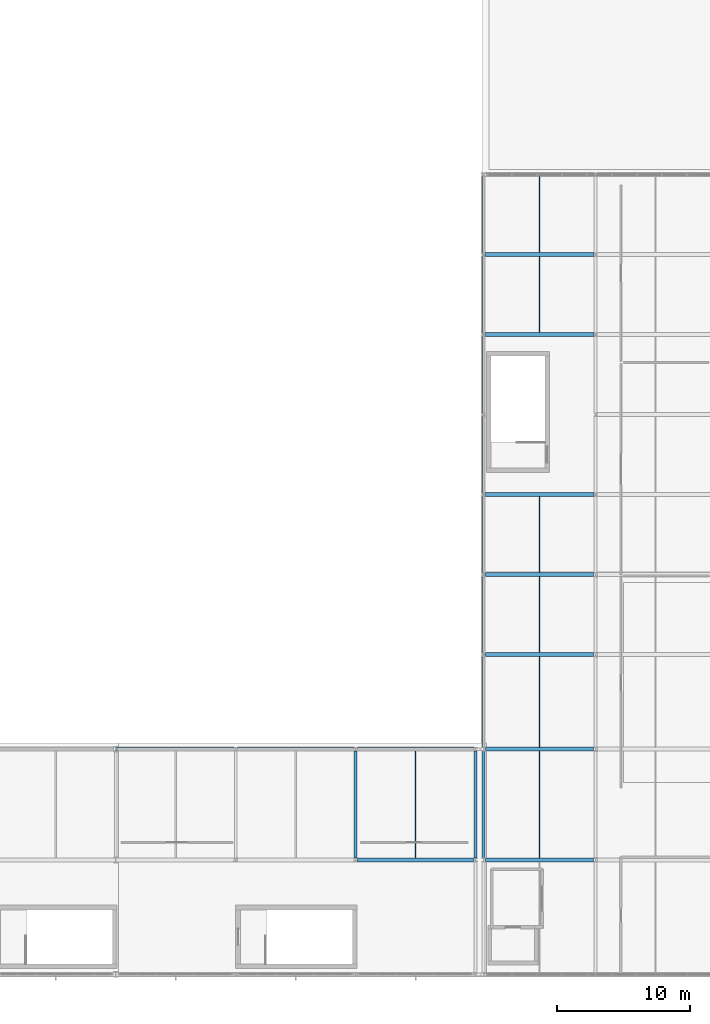
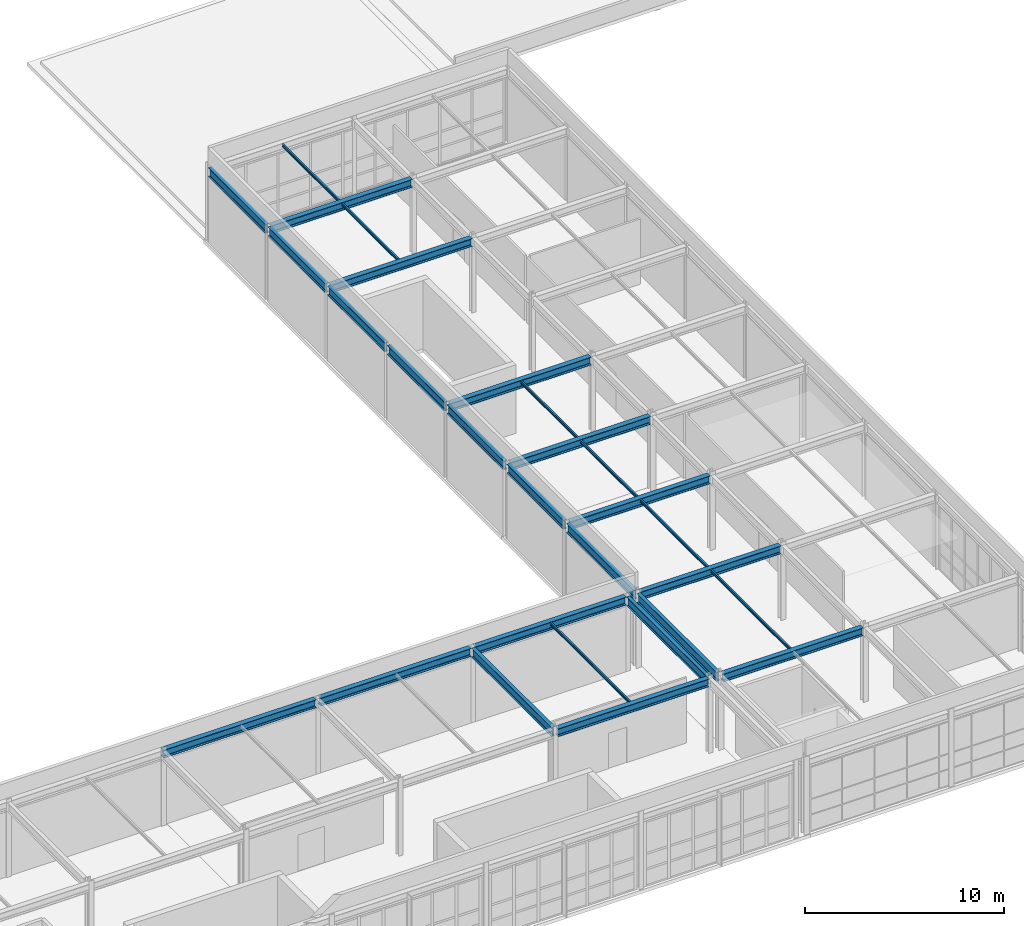
# One storey, part 19 of 38: 28 beams.
"""IFC4 building model written with IfcOpenShell, lengths in metres."""

from ifc_helpers import new_model, si_unit, direction, frame, origin, origin_2d, place, context, subcontext, project, spatial, i_section, extrude, material, material_profile, profile_set, type_object, element, save


model = new_model("IFC4")

# Units and contexts
model_context = context("Model", 3, precision=1e-05, world=origin(), true_north=direction((0.0, 1.0)))
body_context = subcontext(model_context, "Body", "Model", "MODEL_VIEW")
ifc_project = project(units=[si_unit("LENGTHUNIT", "METRE"), si_unit("AREAUNIT", "SQUARE_METRE"), si_unit("VOLUMEUNIT", "CUBIC_METRE"), si_unit("PLANEANGLEUNIT", "RADIAN"), si_unit("MASSUNIT", "GRAM", prefix="KILO")], contexts=[model_context])

# Site, building, storey
site_placement = place(None, origin())
site = spatial("IfcSite", under=ifc_project, at=site_placement, CompositionType="ELEMENT")
building_placement = place(site_placement, origin())
building = spatial("IfcBuilding", under=site, at=building_placement, Name="Kaldris Quays Convention Centre", CompositionType="ELEMENT")
storey_placement = place(building_placement, frame((0.0, 0.0, 21.60009765625)))
storey = spatial("IfcBuildingStorey", under=building, at=storey_placement, Name="L04", CompositionType="ELEMENT", Elevation=21.60009765625)

# Beams
ifc_material = material(Name="Steel S355J2", Category="steel")
ifc_material_profile_1 = material_profile(ifc_material, i_section(OverallWidth=0.300048828125, OverallDepth=0.489990234375, WebThickness=0.011962890625, FlangeThickness=0.02294921875, FilletRadius=0.027099609375, at=origin_2d()), Name="HEA 500")
ifc_profile_set_1 = profile_set([ifc_material_profile_1], Name="Steel S355J2")
beam_type_1 = type_object("IfcBeamType", Name="STRUCTURAL BEAM BM09", PredefinedType="BEAM", material=ifc_profile_set_1)
beam_1_placement = place(storey_placement, frame((137.1240234375, 46.60009765625, 4.347900390625), z_axis=(1.0, 0.0, 0.0), x_axis=(0.0, 1.0, 0.0)))
element("IfcBeam", 1, at=beam_1_placement, inside=storey, type_object=beam_type_1, Name="L04 Girder BM09 14", PredefinedType="BEAM", context=body_context, shape_type="SweptSolid", body=[
    extrude(i_section(OverallWidth=0.300048828125, OverallDepth=0.489990234375, WebThickness=0.011962890625, FlangeThickness=0.02294921875, FilletRadius=0.027099609375, at=origin_2d()), origin(), (0.0, 0.0, 1.0), 8.751953125),
])
beam_2_placement = place(storey_placement, frame((146.743896484375, 46.60009765625, 4.347900390625), z_axis=(1.0, 0.0, 0.0), x_axis=(0.0, 1.0, 0.0)))
element("IfcBeam", 2, at=beam_2_placement, inside=storey, type_object=beam_type_1, Name="L04 Girder BM09 15", PredefinedType="BEAM", context=body_context, shape_type="SweptSolid", body=[
    extrude(i_section(OverallWidth=0.300048828125, OverallDepth=0.489990234375, WebThickness=0.011962890625, FlangeThickness=0.02294921875, FilletRadius=0.027099609375, at=origin_2d()), origin(), (0.0, 0.0, 1.0), 8.112060546875),
])
beam_3_placement = place(storey_placement, frame((119.000732421875, 54.89990234375, 4.347900390625), z_axis=(1.0, 0.0, 0.0), x_axis=(0.0, 1.0, 0.0)))
element("IfcBeam", 3, at=beam_3_placement, inside=storey, type_object=beam_type_1, Name="L04 Girder BM09 20", PredefinedType="BEAM", context=body_context, shape_type="SweptSolid", body=[
    extrude(i_section(OverallWidth=0.300048828125, OverallDepth=0.489990234375, WebThickness=0.011962890625, FlangeThickness=0.02294921875, FilletRadius=0.027099609375, at=origin_2d()), origin(), (0.0, 0.0, 1.0), 8.875244140625),
])
for number, where, z_axis, x_axis, name in (
    (4, (128.1240234375, 54.89990234375, 4.347900390625), (1.0, 0.0, 0.0), (0.0, 1.0, 0.0), "L04 Girder BM09 21"),
    (5, (137.1240234375, 54.89990234375, 4.347900390625), (1.0, 0.0, 0.0), (0.0, 1.0, 0.0), "L04 Girder BM09 22"),
):
    element("IfcBeam", number, at=place(storey_placement, frame(where, z_axis=z_axis, x_axis=x_axis)), inside=storey, type_object=beam_type_1, Name=name, PredefinedType="BEAM", context=body_context, shape_type="SweptSolid", body=[
        extrude(i_section(OverallWidth=0.300048828125, OverallDepth=0.489990234375, WebThickness=0.011962890625, FlangeThickness=0.02294921875, FilletRadius=0.027099609375, at=origin_2d()), origin(), (0.0, 0.0, 1.0), 8.751953125),
    ])
for number, where, z_axis, x_axis, name in (
    (6, (146.743896484375, 54.89990234375, 4.347900390625), (1.0, 0.0, 0.0), (0.0, 1.0, 0.0), "L04 Girder BM09 23"),
    (7, (146.743896484375, 62.0, 4.347900390625), (1.0, 0.0, 0.0), (0.0, 1.0, 0.0), "L04 Girder BM09 25"),
    (8, (146.743896484375, 68.0, 4.347900390625), (1.0, 0.0, 0.0), (0.0, 1.0, 0.0), "L04 Girder BM09 27"),
):
    element("IfcBeam", number, at=place(storey_placement, frame(where, z_axis=z_axis, x_axis=x_axis)), inside=storey, type_object=beam_type_1, Name=name, PredefinedType="BEAM", context=body_context, shape_type="SweptSolid", body=[
        extrude(i_section(OverallWidth=0.300048828125, OverallDepth=0.489990234375, WebThickness=0.011962890625, FlangeThickness=0.02294921875, FilletRadius=0.027099609375, at=origin_2d()), origin(), (0.0, 0.0, 1.0), 8.112060546875),
    ])
for number, where, z_axis, x_axis, name in (
    (9, (146.714111328125, 74.0, 4.347900390625), (1.0, 0.0, 0.0), (0.0, 1.0, 0.0), "L04 Girder BM09 29"),
    (10, (146.714111328125, 86.0, 4.347900390625), (1.0, 0.0, 0.0), (0.0, 1.0, 0.0), "L04 Girder BM09 32"),
    (11, (146.714111328125, 92.0, 4.347900390625), (1.0, 0.0, 0.0), (0.0, 1.0, 0.0), "L04 Girder BM09 34"),
):
    element("IfcBeam", number, at=place(storey_placement, frame(where, z_axis=z_axis, x_axis=x_axis)), inside=storey, type_object=beam_type_1, Name=name, PredefinedType="BEAM", context=body_context, shape_type="SweptSolid", body=[
        extrude(i_section(OverallWidth=0.300048828125, OverallDepth=0.489990234375, WebThickness=0.011962890625, FlangeThickness=0.02294921875, FilletRadius=0.027099609375, at=origin_2d()), origin(), (0.0, 0.0, 1.0), 8.171875),
    ])
ifc_material_profile_2 = material_profile(ifc_material, i_section(OverallWidth=0.2099609375, OverallDepth=0.550048828125, WebThickness=0.010986328125, FlangeThickness=0.01708984375, FilletRadius=0.02392578125, at=origin_2d()), Name="IPE 550")
ifc_profile_set_2 = profile_set([ifc_material_profile_2], Name="Steel S355J2")
beam_type_2 = type_object("IfcBeamType", Name="STRUCTURAL BEAM BM11", PredefinedType="BEAM", material=ifc_profile_set_2)
for number, where, z_axis, x_axis, name in (
    (12, (137.0, 46.72412109375, 4.31787109375), (0.0, 1.0, 0.0), (-1.0, 0.0, 0.0), "L04 Girder BM11 43"),
    (13, (146.0, 46.72412109375, 4.31787109375), (0.0, 1.0, 0.0), (-1.0, 0.0, 0.0), "L04 Girder BM11 45"),
):
    element("IfcBeam", number, at=place(storey_placement, frame(where, z_axis=z_axis, x_axis=x_axis)), inside=storey, type_object=beam_type_2, Name=name, PredefinedType="BEAM", context=body_context, shape_type="SweptSolid", body=[
        extrude(i_section(OverallWidth=0.2099609375, OverallDepth=0.550048828125, WebThickness=0.010986328125, FlangeThickness=0.01708984375, FilletRadius=0.02392578125, at=origin_2d()), origin(), (0.0, 0.0, 1.0), 8.0517578125),
    ])
beam_4_placement = place(storey_placement, frame((146.60009765625, 46.743896484375, 4.31787109375), z_axis=(0.0, 1.0, 0.0), x_axis=(-1.0, 0.0, 0.0)))
element("IfcBeam", 14, at=beam_4_placement, inside=storey, type_object=beam_type_2, Name="L04 Girder BM11 47", PredefinedType="BEAM", context=body_context, shape_type="SweptSolid", body=[
    extrude(i_section(OverallWidth=0.2099609375, OverallDepth=0.550048828125, WebThickness=0.010986328125, FlangeThickness=0.01708984375, FilletRadius=0.02392578125, at=origin_2d()), origin(), (0.0, 0.0, 1.0), 8.01220703125),
])
beam_5_placement = place(storey_placement, frame((146.60009765625, 55.0439453125, 4.31787109375), z_axis=(0.0, 1.0, 0.0), x_axis=(-1.0, 0.0, 0.0)))
element("IfcBeam", 15, at=beam_5_placement, inside=storey, type_object=beam_type_2, Name="L04 Girder BM11 48", PredefinedType="BEAM", context=body_context, shape_type="SweptSolid", body=[
    extrude(i_section(OverallWidth=0.2099609375, OverallDepth=0.550048828125, WebThickness=0.010986328125, FlangeThickness=0.01708984375, FilletRadius=0.02392578125, at=origin_2d()), origin(), (0.0, 0.0, 1.0), 6.81201171875),
])
beam_6_placement = place(storey_placement, frame((146.60009765625, 62.14404296875, 4.31787109375), z_axis=(0.0, 1.0, 0.0), x_axis=(-1.0, 0.0, 0.0)))
element("IfcBeam", 16, at=beam_6_placement, inside=storey, type_object=beam_type_2, Name="L04 Girder BM11 49", PredefinedType="BEAM", context=body_context, shape_type="SweptSolid", body=[
    extrude(i_section(OverallWidth=0.2099609375, OverallDepth=0.550048828125, WebThickness=0.010986328125, FlangeThickness=0.01708984375, FilletRadius=0.02392578125, at=origin_2d()), origin(), (0.0, 0.0, 1.0), 5.7119140625),
])
beam_7_placement = place(storey_placement, frame((146.60009765625, 68.14404296875, 4.31787109375), z_axis=(0.0, 1.0, 0.0), x_axis=(-1.0, 0.0, 0.0)))
element("IfcBeam", 17, at=beam_7_placement, inside=storey, type_object=beam_type_2, Name="L04 Girder BM11 50", PredefinedType="BEAM", context=body_context, shape_type="SweptSolid", body=[
    extrude(i_section(OverallWidth=0.2099609375, OverallDepth=0.550048828125, WebThickness=0.010986328125, FlangeThickness=0.01708984375, FilletRadius=0.02392578125, at=origin_2d()), origin(), (0.0, 0.0, 1.0), 5.741943359375),
])
for number, where, z_axis, x_axis, name in (
    (18, (146.60009765625, 74.114013671875, 4.31787109375), (0.0, 1.0, 0.0), (-1.0, 0.0, 0.0), "L04 Girder BM11 51"),
    (19, (146.60009765625, 80.114013671875, 4.31787109375), (0.0, 1.0, 0.0), (-1.0, 0.0, 0.0), "L04 Girder BM11 52"),
    (20, (146.60009765625, 86.114013671875, 4.31787109375), (0.0, 1.0, 0.0), (-1.0, 0.0, 0.0), "L04 Girder BM11 53"),
    (21, (146.60009765625, 92.114013671875, 4.31787109375), (0.0, 1.0, 0.0), (-1.0, 0.0, 0.0), "L04 Girder BM11 54"),
):
    element("IfcBeam", number, at=place(storey_placement, frame(where, z_axis=z_axis, x_axis=x_axis)), inside=storey, type_object=beam_type_2, Name=name, PredefinedType="BEAM", context=body_context, shape_type="SweptSolid", body=[
        extrude(i_section(OverallWidth=0.2099609375, OverallDepth=0.550048828125, WebThickness=0.010986328125, FlangeThickness=0.01708984375, FilletRadius=0.02392578125, at=origin_2d()), origin(), (0.0, 0.0, 1.0), 5.77197265625),
    ])
ifc_material_profile_3 = material_profile(ifc_material, i_section(OverallWidth=0.091064453125, OverallDepth=0.179931640625, WebThickness=0.00537109375, FlangeThickness=0.008056640625, FilletRadius=0.009033203125, at=origin_2d()), Name="IPE 180")
ifc_profile_set_3 = profile_set([ifc_material_profile_3], Name="Steel S355J2")
beam_type_3 = type_object("IfcBeamType", Name="STRUCTURAL BEAM JT10", PredefinedType="JOIST", material=ifc_profile_set_3)
for number, where, z_axis, x_axis, name in (
    (22, (141.5, 46.743896484375, 4.5029296875), (0.0, 1.0, 0.0), (-1.0, 0.0, 0.0), "L04 Secondary Joist JT10 8"),
    (23, (150.800048828125, 46.743896484375, 4.5029296875), (0.0, 1.0, 0.0), (-1.0, 0.0, 0.0), "L04 Secondary Joist JT10 9"),
):
    element("IfcBeam", number, at=place(storey_placement, frame(where, z_axis=z_axis, x_axis=x_axis)), inside=storey, type_object=beam_type_3, Name=name, PredefinedType="JOIST", context=body_context, shape_type="SweptSolid", body=[
        extrude(i_section(OverallWidth=0.091064453125, OverallDepth=0.179931640625, WebThickness=0.00537109375, FlangeThickness=0.008056640625, FilletRadius=0.009033203125, at=origin_2d()), origin(), (0.0, 0.0, 1.0), 8.01220703125),
    ])
beam_8_placement = place(storey_placement, frame((150.800048828125, 55.0439453125, 4.5029296875), z_axis=(0.0, 1.0, 0.0), x_axis=(-1.0, 0.0, 0.0)))
element("IfcBeam", 24, at=beam_8_placement, inside=storey, type_object=beam_type_3, Name="L04 Secondary Joist JT10 11", PredefinedType="JOIST", context=body_context, shape_type="SweptSolid", body=[
    extrude(i_section(OverallWidth=0.091064453125, OverallDepth=0.179931640625, WebThickness=0.00537109375, FlangeThickness=0.008056640625, FilletRadius=0.009033203125, at=origin_2d()), origin(), (0.0, 0.0, 1.0), 6.81201171875),
])
for number, where, z_axis, x_axis, name in (
    (25, (150.800048828125, 62.14404296875, 4.5029296875), (0.0, 1.0, 0.0), (-1.0, 0.0, 0.0), "L04 Secondary Joist JT10 13"),
    (26, (150.800048828125, 68.14404296875, 4.5029296875), (0.0, 1.0, 0.0), (-1.0, 0.0, 0.0), "L04 Secondary Joist JT10 15"),
    (27, (150.800048828125, 86.14404296875, 4.5029296875), (0.0, 1.0, 0.0), (-1.0, 0.0, 0.0), "L04 Secondary Joist JT10 19"),
    (28, (150.800048828125, 92.14404296875, 4.5029296875), (0.0, 1.0, 0.0), (-1.0, 0.0, 0.0), "L04 Secondary Joist JT10 21"),
):
    element("IfcBeam", number, at=place(storey_placement, frame(where, z_axis=z_axis, x_axis=x_axis)), inside=storey, type_object=beam_type_3, Name=name, PredefinedType="JOIST", context=body_context, shape_type="SweptSolid", body=[
        extrude(i_section(OverallWidth=0.091064453125, OverallDepth=0.179931640625, WebThickness=0.00537109375, FlangeThickness=0.008056640625, FilletRadius=0.009033203125, at=origin_2d()), origin(), (0.0, 0.0, 1.0), 5.7119140625),
    ])

save(model, "model.ifc")
